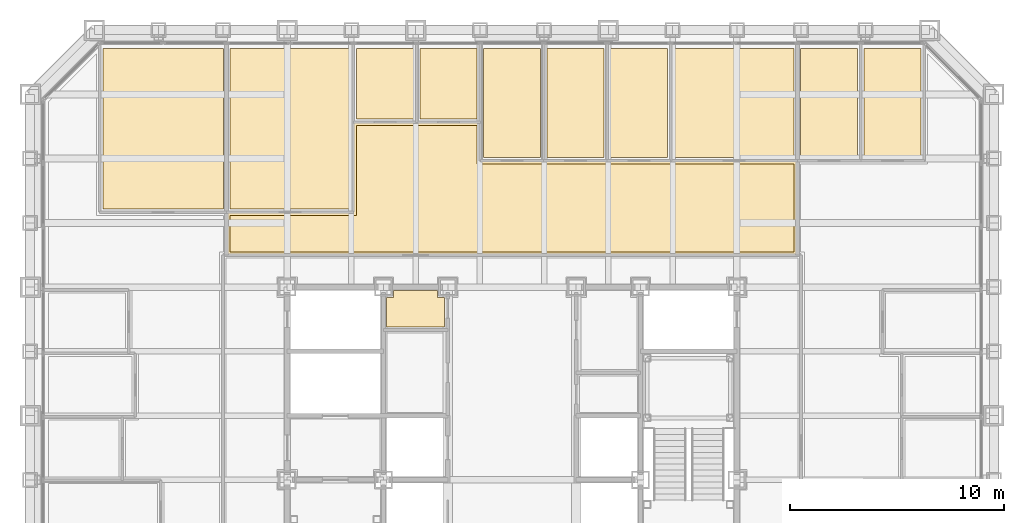
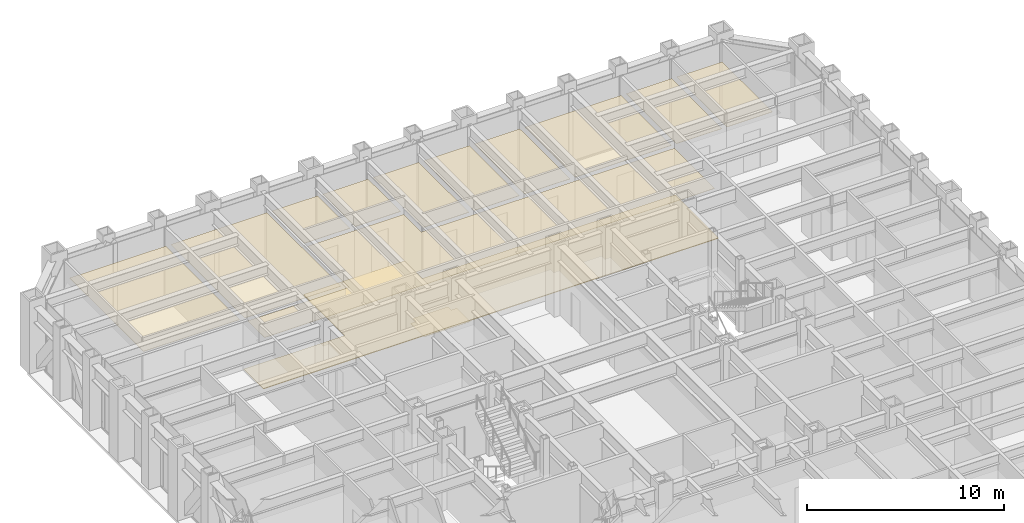
# One storey, part 16 of 16: 13 coverings.
"""IFC4 building model written with IfcOpenShell, lengths in metres."""

from ifc_helpers import new_model, si_unit, direction, frame, origin, place, context, subcontext, project, spatial, polyline, outline, extrude, material, layer, layer_set, type_object, element, save


model = new_model("IFC4")

# Units and contexts
model_context = context("Model", 3, precision=1e-05, world=origin(), true_north=direction((0.0, 1.0)))
body_context = subcontext(model_context, "Body", "Model", "MODEL_VIEW")
ifc_project = project(units=[si_unit("LENGTHUNIT", "METRE"), si_unit("AREAUNIT", "SQUARE_METRE"), si_unit("VOLUMEUNIT", "CUBIC_METRE"), si_unit("PLANEANGLEUNIT", "RADIAN"), si_unit("MASSUNIT", "GRAM", prefix="KILO")], contexts=[model_context])

# Site, building, storey
site_placement = place(None, origin())
site = spatial("IfcSite", under=ifc_project, at=site_placement, CompositionType="ELEMENT")
building_placement = place(site_placement, origin())
building = spatial("IfcBuilding", under=site, at=building_placement, Name="Chuquiago Exchange Tower", CompositionType="ELEMENT")
storey_placement = place(building_placement, frame((0.0, 0.0, 78.300048828125)))
storey = spatial("IfcBuildingStorey", under=building, at=storey_placement, Name="L16", CompositionType="ELEMENT", Elevation=78.300048828125)

# Coverings
ifc_material_1 = material(Name="Mineral fibre tile, 600 x 600, on pale metal grid", Category="mineral fibre")
ifc_layer_1 = layer(ifc_material_1, 0.02001953125)
ifc_layer_set_1 = layer_set([ifc_layer_1], Name="CL1 suspended tile ceiling 20")
covering_type_1 = type_object("IfcCoveringType", Name="CL1 suspended tile ceiling 20", PredefinedType="CEILING", material=ifc_layer_set_1)
covering_1_placement = place(storey_placement, frame((0.0, 0.0, 3.0)))
element("IfcCovering", 1, at=covering_1_placement, inside=storey, type_object=covering_type_1, Name="Ceiling Settlement office", PredefinedType="CEILING", context=body_context, shape_type="SweptSolid", body=[
    extrude(outline(polyline([(9.022216796875, 44.14990234375), (9.022216796875, 36.64990234375), (3.3984375, 36.64990234375), (3.3984375, 44.14990234375), (9.022216796875, 44.14990234375)])), origin(), (0.0, 0.0, 1.0), 0.02001953125),
])
covering_2_placement = place(storey_placement, frame((0.0, 0.0, 3.0)))
element("IfcCovering", 2, at=covering_2_placement, inside=storey, type_object=covering_type_1, Name="Ceiling Settlement office", PredefinedType="CEILING", context=body_context, shape_type="SweptSolid", body=[
    extrude(outline(polyline([(14.945556640625, 36.64990234375), (9.322021484375, 36.64990234375), (9.322021484375, 44.14990234375), (14.945556640625, 44.14990234375), (14.945556640625, 36.64990234375)])), origin(), (0.0, 0.0, 1.0), 0.02001953125),
])
covering_3_placement = place(storey_placement, frame((0.0, 0.0, 3.0)))
element("IfcCovering", 3, at=covering_3_placement, inside=storey, type_object=covering_type_1, Name="Ceiling Focus room", PredefinedType="CEILING", context=body_context, shape_type="SweptSolid", body=[
    extrude(outline(polyline([(17.907470703125, 40.85009765625), (15.24560546875, 40.85009765625), (15.24560546875, 44.14990234375), (17.907470703125, 44.14990234375), (17.907470703125, 40.85009765625)])), origin(), (0.0, 0.0, 1.0), 0.02001953125),
])
covering_4_placement = place(storey_placement, frame((0.0, 0.0, 3.0)))
element("IfcCovering", 4, at=covering_4_placement, inside=storey, type_object=covering_type_1, Name="Ceiling Focus room", PredefinedType="CEILING", context=body_context, shape_type="SweptSolid", body=[
    extrude(outline(polyline([(20.869140625, 40.85009765625), (18.20751953125, 40.85009765625), (18.20751953125, 44.14990234375), (20.869140625, 44.14990234375), (20.869140625, 40.85009765625)])), origin(), (0.0, 0.0, 1.0), 0.02001953125),
])
covering_5_placement = place(storey_placement, frame((0.0, 0.0, 3.0)))
element("IfcCovering", 5, at=covering_5_placement, inside=storey, type_object=covering_type_1, Name="Ceiling Office", PredefinedType="CEILING", context=body_context, shape_type="SweptSolid", body=[
    extrude(outline(polyline([(23.830810546875, 39.050048828125), (21.169189453125, 39.050048828125), (21.169189453125, 44.14990234375), (23.830810546875, 44.14990234375), (23.830810546875, 39.050048828125)])), origin(), (0.0, 0.0, 1.0), 0.02001953125),
])
covering_6_placement = place(storey_placement, frame((0.0, 0.0, 3.0)))
element("IfcCovering", 6, at=covering_6_placement, inside=storey, type_object=covering_type_1, Name="Ceiling Office", PredefinedType="CEILING", context=body_context, shape_type="SweptSolid", body=[
    extrude(outline(polyline([(26.79248046875, 39.050048828125), (24.130859375, 39.050048828125), (24.130859375, 44.14990234375), (26.79248046875, 44.14990234375), (26.79248046875, 39.050048828125)])), origin(), (0.0, 0.0, 1.0), 0.02001953125),
])
covering_7_placement = place(storey_placement, frame((0.0, 0.0, 3.0)))
element("IfcCovering", 7, at=covering_7_placement, inside=storey, type_object=covering_type_1, Name="Ceiling Office", PredefinedType="CEILING", context=body_context, shape_type="SweptSolid", body=[
    extrude(outline(polyline([(29.75439453125, 39.050048828125), (27.092529296875, 39.050048828125), (27.092529296875, 44.14990234375), (29.75439453125, 44.14990234375), (29.75439453125, 39.050048828125)])), origin(), (0.0, 0.0, 1.0), 0.02001953125),
])
covering_8_placement = place(storey_placement, frame((0.0, 0.0, 3.0)))
element("IfcCovering", 8, at=covering_8_placement, inside=storey, type_object=covering_type_1, Name="Ceiling Meeting room", PredefinedType="CEILING", context=body_context, shape_type="SweptSolid", body=[
    extrude(outline(polyline([(35.677978515625, 39.050048828125), (30.054443359375, 39.050048828125), (30.054443359375, 44.14990234375), (35.677978515625, 44.14990234375), (35.677978515625, 39.050048828125)])), origin(), (0.0, 0.0, 1.0), 0.02001953125),
])
covering_9_placement = place(storey_placement, frame((0.0, 0.0, 3.0)))
element("IfcCovering", 9, at=covering_9_placement, inside=storey, type_object=covering_type_1, Name="Ceiling Office", PredefinedType="CEILING", context=body_context, shape_type="SweptSolid", body=[
    extrude(outline(polyline([(38.6396484375, 39.050048828125), (35.977783203125, 39.050048828125), (35.977783203125, 44.14990234375), (38.6396484375, 44.14990234375), (38.6396484375, 39.050048828125)])), origin(), (0.0, 0.0, 1.0), 0.02001953125),
])
covering_10_placement = place(storey_placement, frame((0.0, 0.0, 3.0)))
element("IfcCovering", 10, at=covering_10_placement, inside=storey, type_object=covering_type_1, Name="Ceiling Office", PredefinedType="CEILING", context=body_context, shape_type="SweptSolid", body=[
    extrude(outline(polyline([(41.6015625, 39.050048828125), (38.939697265625, 39.050048828125), (38.939697265625, 44.14990234375), (41.6015625, 44.14990234375), (41.6015625, 39.050048828125)])), origin(), (0.0, 0.0, 1.0), 0.02001953125),
])
covering_11_placement = place(storey_placement, frame((0.0, 0.0, 3.0)))
element("IfcCovering", 11, at=covering_11_placement, inside=storey, type_object=covering_type_1, Name="Ceiling Trading floor north suite", PredefinedType="CEILING", context=body_context, shape_type="SweptSolid", body=[
    extrude(outline(polyline([(15.24560546875, 40.550048828125), (20.869140625, 40.550048828125), (20.869140625, 38.75), (35.677490234375, 38.75), (35.677490234375, 34.650390625), (9.322509765625, 34.650390625), (9.322509765625, 36.35009765625), (15.24560546875, 36.35009765625), (15.24560546875, 40.550048828125)])), origin(), (0.0, 0.0, 1.0), 0.02001953125),
])
ifc_material_2 = material(Name="Moisture resistant plasterboard on metal frame", Category="gypsum")
ifc_layer_2 = layer(ifc_material_2, 0.014892578125)
ifc_layer_set_2 = layer_set([ifc_layer_2], Name="CL2 moisture resistant ceiling 15")
covering_type_2 = type_object("IfcCoveringType", Name="CL2 moisture resistant ceiling 15", PredefinedType="CEILING", material=ifc_layer_set_2)
covering_12_placement = place(storey_placement, frame((0.0, 0.0, 2.599853515625)))
element("IfcCovering", 12, at=covering_12_placement, inside=storey, type_object=covering_type_2, Name="Ceiling Staff shower room", PredefinedType="CEILING", context=body_context, shape_type="SweptSolid", body=[
    extrude(outline(polyline([(16.64990234375, 31.14990234375), (16.64990234375, 32.52490234375), (16.97509765625, 32.52490234375), (16.97509765625, 32.85009765625), (19.02490234375, 32.85009765625), (19.02490234375, 32.52490234375), (19.35009765625, 32.52490234375), (19.35009765625, 31.14990234375), (16.64990234375, 31.14990234375)])), origin(), (0.0, 0.0, 1.0), 0.01513671875),
])
ifc_material_3 = material(Name="Steel raised floor panel", Category="steel")
ifc_layer_3 = layer(ifc_material_3, 0.0400390625)
ifc_layer_set_3 = layer_set([ifc_layer_3], Name="RF1 raised access floor 40")
covering_type_3 = type_object("IfcCoveringType", Name="RF1 raised access floor 40", PredefinedType="FLOORING", material=ifc_layer_set_3)
covering_13_placement = place(storey_placement, frame((0.0, 0.0, -0.0400390625)))
element("IfcCovering", 13, at=covering_13_placement, inside=storey, type_object=covering_type_3, Name="Raised access floor Trading floor north suite", PredefinedType="FLOORING", context=body_context, shape_type="SweptSolid", body=[
    extrude(outline(polyline([(15.095703125, 36.5), (15.095703125, 40.699951171875), (21.01904296875, 40.699951171875), (21.01904296875, 38.89990234375), (35.827392578125, 38.89990234375), (35.827392578125, 34.50048828125), (9.172607421875, 34.50048828125), (9.172607421875, 36.5), (15.095703125, 36.5)])), origin(), (0.0, 0.0, 1.0), 0.0400390625),
])

save(model, "model.ifc")
